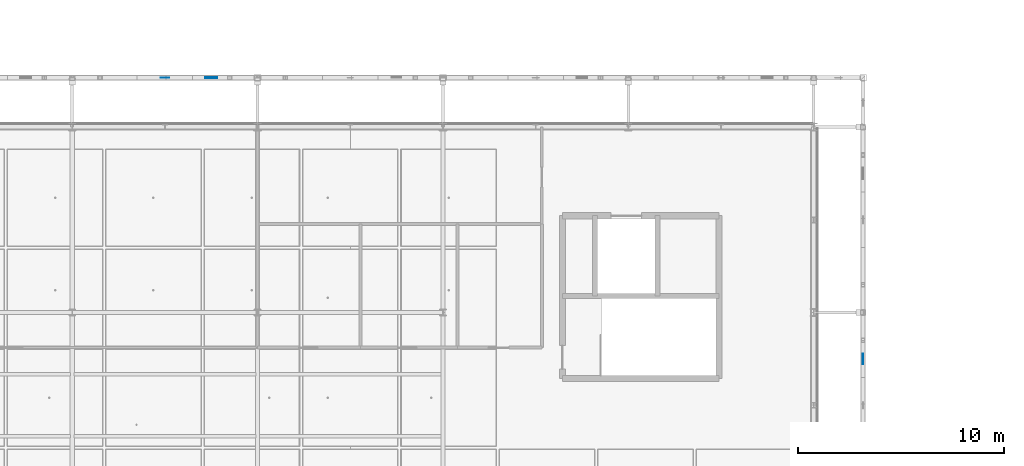
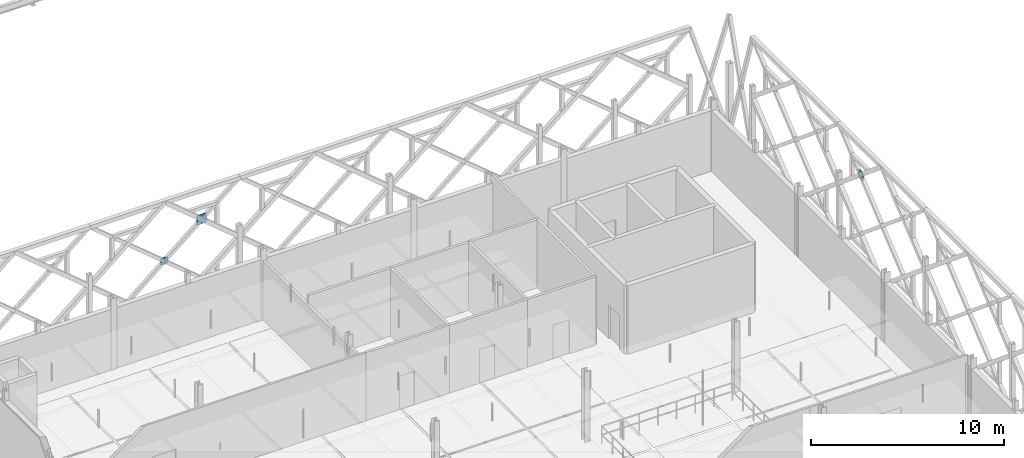
# One storey, part 40 of 66: 3 plates.
"""IFC4 building model written with IfcOpenShell, lengths in metres."""

from ifc_helpers import new_model, si_unit, direction, frame, origin, origin_2d, place, context, subcontext, project, spatial, rectangle, extrude, material, layer, layer_set, type_object, element, save


model = new_model("IFC4")

# Units and contexts
model_context = context("Model", 3, precision=1e-05, world=origin(), true_north=direction((0.0, 1.0)))
body_context = subcontext(model_context, "Body", "Model", "MODEL_VIEW")
ifc_project = project(units=[si_unit("LENGTHUNIT", "METRE"), si_unit("AREAUNIT", "SQUARE_METRE"), si_unit("VOLUMEUNIT", "CUBIC_METRE"), si_unit("PLANEANGLEUNIT", "RADIAN"), si_unit("MASSUNIT", "GRAM", prefix="KILO"), si_unit("THERMODYNAMICTEMPERATUREUNIT", "KELVIN"), si_unit("POWERUNIT", "WATT")], contexts=[model_context])

# Site, building, storey
site_placement = place(None, origin())
site = spatial("IfcSite", under=ifc_project, at=site_placement, CompositionType="ELEMENT")
building_placement = place(site_placement, origin())
building = spatial("IfcBuilding", under=site, at=building_placement, Name="Tallowbark Science Centre", CompositionType="ELEMENT")
storey_placement = place(building_placement, frame((0.0, 0.0, 18.89990234375)))
storey = spatial("IfcBuildingStorey", under=building, at=storey_placement, Name="L04", CompositionType="ELEMENT", Elevation=18.89990234375)

# Plates
ifc_material = material(Name="Structural Steel Grade 300PLUS (300 MPa)", Category="steel")
ifc_layer_1 = layer(ifc_material, 0.02197265625)
ifc_layer_set_1 = layer_set([ifc_layer_1], Name="Structural Steel Grade 300PLUS (300 MPa)")
plate_type_1 = type_object("IfcPlateType", Name="PLT-GUS-22", PredefinedType="SHEET", material=ifc_layer_set_1)
plate_1_placement = place(storey_placement, frame((72.0, 42.89990234375, 3.5400390625), z_axis=(0.0, 0.0, 1.0), x_axis=(1.0, 0.0, 0.0)))
element("IfcPlate", 1, at=plate_1_placement, inside=storey, type_object=plate_type_1, Name="Star X-Brace Crossing Gusset Plate N-39", PredefinedType="SHEET", context=body_context, shape_type="SweptSolid", body=[
    extrude(rectangle(XDim=0.419921875, YDim=0.02197265625, at=origin_2d()), origin(), (0.0, 0.0, 1.0), 0.419921875),
])
ifc_layer_2 = layer(ifc_material, 0.030029296875)
ifc_layer_set_2 = layer_set([ifc_layer_2], Name="Structural Steel Grade 300PLUS (300 MPa)")
plate_type_2 = type_object("IfcPlateType", Name="PLT-GUS-30", PredefinedType="SHEET", material=ifc_layer_set_2)
plate_2_placement = place(storey_placement, frame((105.89990234375, 29.25, 5.375), z_axis=(0.0, 0.0, 1.0), x_axis=(0.0, 1.0, 0.0)))
element("IfcPlate", 2, at=plate_2_placement, inside=storey, type_object=plate_type_2, Name="Star Primary Chord Crossing Gusset Plate E-51", PredefinedType="SHEET", context=body_context, shape_type="SweptSolid", body=[
    extrude(rectangle(XDim=0.5, YDim=0.030029296875, at=origin_2d()), origin(), (0.0, 0.0, 1.0), 0.5),
])
ifc_layer_3 = layer(ifc_material, 0.0380859375)
ifc_layer_set_3 = layer_set([ifc_layer_3], Name="Structural Steel Grade 300PLUS (300 MPa)")
plate_type_3 = type_object("IfcPlateType", Name="PLT-GUS-38", PredefinedType="SHEET", material=ifc_layer_set_3)
plate_3_placement = place(storey_placement, frame((74.25, 42.89990234375, 5.3349609375), z_axis=(0.0, 0.0, 1.0), x_axis=(1.0, 0.0, 0.0)))
element("IfcPlate", 3, at=plate_3_placement, inside=storey, type_object=plate_type_3, Name="Star Primary Chord Crossing Gusset Plate N-39", PredefinedType="SHEET", context=body_context, shape_type="SweptSolid", body=[
    extrude(rectangle(XDim=0.580078125, YDim=0.0380859375, at=origin_2d()), origin(), (0.0, 0.0, 1.0), 0.580078125),
])

save(model, "model.ifc")
